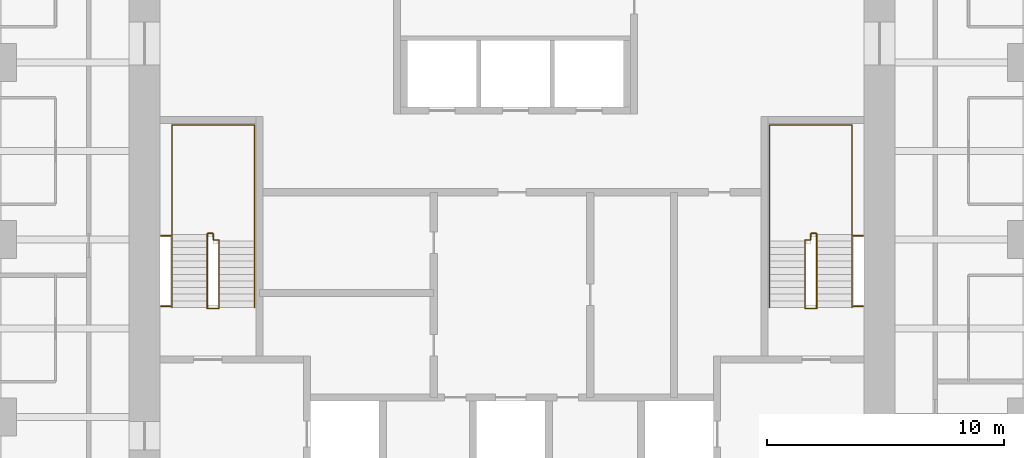
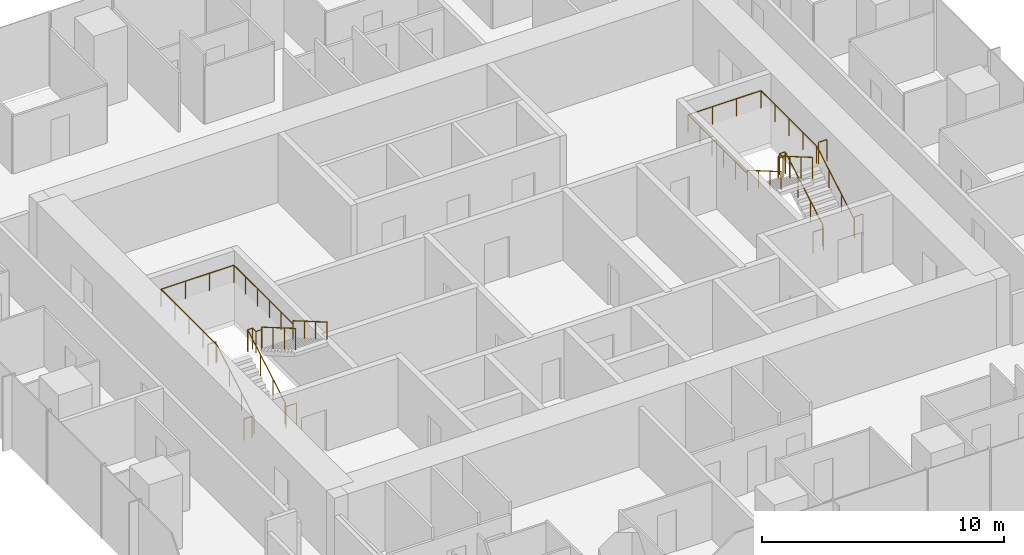
# One storey, part 12 of 12: 8 railings.
"""IFC4 building model written with IfcOpenShell, lengths in metres."""

from ifc_helpers import new_model, si_unit, direction, frame, origin, origin_2d, place, context, subcontext, project, spatial, circle, extrude, material, type_object, element, save


model = new_model("IFC4")

# Units and contexts
model_context = context("Model", 3, precision=1e-05, world=origin(), true_north=direction((0.0, 1.0)))
body_context = subcontext(model_context, "Body", "Model", "MODEL_VIEW")
ifc_project = project(units=[si_unit("LENGTHUNIT", "METRE"), si_unit("AREAUNIT", "SQUARE_METRE"), si_unit("VOLUMEUNIT", "CUBIC_METRE"), si_unit("PLANEANGLEUNIT", "RADIAN"), si_unit("MASSUNIT", "GRAM", prefix="KILO")], contexts=[model_context])

# Site, building, storey
site_placement = place(None, origin())
site = spatial("IfcSite", under=ifc_project, at=site_placement, CompositionType="ELEMENT")
building_placement = place(site_placement, origin())
building = spatial("IfcBuilding", under=site, at=building_placement, Name="Khuree Lantern Residences", CompositionType="ELEMENT")
storey_placement = place(building_placement, frame((0.0, 0.0, 323.25)))
storey = spatial("IfcBuildingStorey", under=building, at=storey_placement, Name="L81", CompositionType="ELEMENT", Elevation=323.25)

# Railings
ifc_material = material(Name="Steel S355", Category="steel")
railing_type_1 = type_object("IfcRailingType", Name="STAIR GUARD G1 1100", PredefinedType="GUARDRAIL", material=ifc_material)
railing_1_placement = place(storey_placement, frame((-12.35009765625, -2.909912109375, 0.0)))
element("IfcRailing", 1, at=railing_1_placement, inside=storey, type_object=railing_type_1, Name="Stair ST1 guard", PredefinedType="GUARDRAIL", context=body_context, shape_type="SweptSolid", body=[
    extrude(circle(Radius=0.02392578125, at=origin_2d()), frame((0.0, 0.0, 1.076171875), z_axis=(-1.0, 0.0, 0.0), x_axis=(0.0, -1.0, 0.0)), (0.0, 0.0, 1.0), 0.5),
    extrude(circle(Radius=0.02392578125, at=origin_2d()), frame((-0.5, 0.0, 1.076171875), z_axis=(0.0, 0.292073035251, 0.95639601739), x_axis=(-1.0, 0.0, 0.0)), (0.0, 0.0, 1.0), 0.17041015625),
    extrude(circle(Radius=0.02392578125, at=origin_2d()), frame((-0.5, 0.0498046875, 1.2392578125), z_axis=(0.0, 0.864176135923, 0.503189433615), x_axis=(-1.0, 0.0, 0.0)), (0.0, 0.0, 1.0), 3.564208984375),
    extrude(circle(Radius=0.02392578125, at=origin_2d()), frame((-0.5, 3.1298828125, 3.03271484375), z_axis=(0.0, 1.0, 0.0), x_axis=(-1.0, 0.0, 0.0)), (0.0, 0.0, 1.0), 0.050048828125),
    extrude(circle(Radius=0.02392578125, at=origin_2d()), frame((-0.5, 3.179931640625, 3.03271484375), z_axis=(1.0, 0.0, 0.0), x_axis=(0.0, 1.0, 0.0)), (0.0, 0.0, 1.0), 0.25),
    extrude(circle(Radius=0.02392578125, at=origin_2d()), frame((-0.25, 3.179931640625, 3.03271484375), z_axis=(0.0, -1.0, 0.0), x_axis=(1.0, 0.0, 0.0)), (0.0, 0.0, 1.0), 0.280029296875),
    extrude(circle(Radius=0.02392578125, at=origin_2d()), frame((-0.25, 2.89990234375, 3.03271484375), z_axis=(1.0, 0.0, 0.0), x_axis=(0.0, 1.0, 0.0)), (0.0, 0.0, 1.0), 0.25),
    extrude(circle(Radius=0.02392578125, at=origin_2d()), frame((0.0, 2.89990234375, 3.03271484375), z_axis=(0.0, -0.293381807449, 0.955995353053), x_axis=(1.0, 0.0, 0.0)), (0.0, 0.0, 1.0), 0.170654296875),
    extrude(circle(Radius=0.02392578125, at=origin_2d()), frame((0.0, 2.849853515625, 3.19580078125), z_axis=(0.0, -0.864180358799, 0.503182181189), x_axis=(1.0, 0.0, 0.0)), (0.0, 0.0, 1.0), 3.240234375),
    extrude(circle(Radius=0.02099609375, at=origin_2d()), origin(), (0.0, 0.0, 1.0), 1.052001953125),
    extrude(circle(Radius=0.02099609375, at=origin_2d()), frame((-0.5, 0.0, 0.0)), (0.0, 0.0, 1.0), 1.052001953125),
    extrude(circle(Radius=0.02099609375, at=origin_2d()), frame((-0.5, 0.0498046875, 0.1630859375)), (0.0, 0.0, 1.0), 1.052001953125),
    extrude(circle(Radius=0.02099609375, at=origin_2d()), frame((-0.5, 1.076416015625, 0.760986328125)), (0.0, 0.0, 1.0), 1.052001953125),
    extrude(circle(Radius=0.02099609375, at=origin_2d()), frame((-0.5, 2.103271484375, 1.358642578125)), (0.0, 0.0, 1.0), 1.052001953125),
    extrude(circle(Radius=0.02099609375, at=origin_2d()), frame((-0.5, 3.1298828125, 1.95654296875)), (0.0, 0.0, 1.0), 1.052001953125),
    extrude(circle(Radius=0.02099609375, at=origin_2d()), frame((-0.5, 3.179931640625, 1.95654296875)), (0.0, 0.0, 1.0), 1.052001953125),
    extrude(circle(Radius=0.02099609375, at=origin_2d()), frame((-0.25, 3.179931640625, 1.95654296875)), (0.0, 0.0, 1.0), 1.052001953125),
    extrude(circle(Radius=0.02099609375, at=origin_2d()), frame((-0.25, 2.89990234375, 1.95654296875)), (0.0, 0.0, 1.0), 1.052001953125),
    extrude(circle(Radius=0.02099609375, at=origin_2d()), frame((0.0, 2.89990234375, 1.95654296875)), (0.0, 0.0, 1.0), 1.052001953125),
    extrude(circle(Radius=0.02099609375, at=origin_2d()), frame((0.0, 2.849853515625, 2.11962890625)), (0.0, 0.0, 1.0), 1.052001953125),
    extrude(circle(Radius=0.02099609375, at=origin_2d()), frame((0.0, 1.91650390625, 2.6630859375)), (0.0, 0.0, 1.0), 1.052001953125),
    extrude(circle(Radius=0.02099609375, at=origin_2d()), frame((0.0, 0.983154296875, 3.20654296875)), (0.0, 0.0, 1.0), 1.052001953125),
    extrude(circle(Radius=0.02099609375, at=origin_2d()), frame((0.0, 0.0498046875, 3.75)), (0.0, 0.0, 1.0), 1.052001953125),
])
for number, where, name in (
    (2, (-14.800048828125, -2.81005859375, 0.0), "Stair ST1 landing slot guard"),
    (3, (-14.800048828125, 0.169921875, 1.95654296875), "Stair ST1 landing slot guard"),
):
    element("IfcRailing", number, at=place(storey_placement, frame(where)), inside=storey, type_object=railing_type_1, Name=name, PredefinedType="GUARDRAIL", context=body_context, shape_type="SweptSolid", body=[
        extrude(circle(Radius=0.02392578125, at=origin_2d()), frame((0.0, 0.0, 1.076171875), z_axis=(1.0, 0.0, 0.0), x_axis=(0.0, 1.0, 0.0)), (0.0, 0.0, 1.0), 0.400146484375),
        extrude(circle(Radius=0.02099609375, at=origin_2d()), origin(), (0.0, 0.0, 1.0), 1.052001953125),
        extrude(circle(Radius=0.02099609375, at=origin_2d()), frame((0.400146484375, 0.0, 0.0)), (0.0, 0.0, 1.0), 1.052001953125),
    ])
railing_2_placement = place(storey_placement, frame((12.35009765625, -2.909912109375, 0.0)))
element("IfcRailing", 4, at=railing_2_placement, inside=storey, type_object=railing_type_1, Name="Stair ST2 guard", PredefinedType="GUARDRAIL", context=body_context, shape_type="SweptSolid", body=[
    extrude(circle(Radius=0.02392578125, at=origin_2d()), frame((0.0, 0.0, 1.076171875), z_axis=(1.0, 0.0, 0.0), x_axis=(0.0, 1.0, 0.0)), (0.0, 0.0, 1.0), 0.5),
    extrude(circle(Radius=0.02392578125, at=origin_2d()), frame((0.5, 0.0, 1.076171875), z_axis=(0.0, 0.292073035251, 0.95639601739), x_axis=(-1.0, 0.0, 0.0)), (0.0, 0.0, 1.0), 0.17041015625),
    extrude(circle(Radius=0.02392578125, at=origin_2d()), frame((0.5, 0.0498046875, 1.2392578125), z_axis=(0.0, 0.864176135923, 0.503189433615), x_axis=(-1.0, 0.0, 0.0)), (0.0, 0.0, 1.0), 3.564208984375),
    extrude(circle(Radius=0.02392578125, at=origin_2d()), frame((0.5, 3.1298828125, 3.03271484375), z_axis=(0.0, 1.0, 0.0), x_axis=(-1.0, 0.0, 0.0)), (0.0, 0.0, 1.0), 0.050048828125),
    extrude(circle(Radius=0.02392578125, at=origin_2d()), frame((0.5, 3.179931640625, 3.03271484375), z_axis=(-1.0, 0.0, 0.0), x_axis=(0.0, -1.0, 0.0)), (0.0, 0.0, 1.0), 0.25),
    extrude(circle(Radius=0.02392578125, at=origin_2d()), frame((0.25, 3.179931640625, 3.03271484375), z_axis=(0.0, -1.0, 0.0), x_axis=(1.0, 0.0, 0.0)), (0.0, 0.0, 1.0), 0.280029296875),
    extrude(circle(Radius=0.02392578125, at=origin_2d()), frame((0.25, 2.89990234375, 3.03271484375), z_axis=(-1.0, 0.0, 0.0), x_axis=(0.0, -1.0, 0.0)), (0.0, 0.0, 1.0), 0.25),
    extrude(circle(Radius=0.02392578125, at=origin_2d()), frame((0.0, 2.89990234375, 3.03271484375), z_axis=(0.0, -0.293381807449, 0.955995353053), x_axis=(1.0, 0.0, 0.0)), (0.0, 0.0, 1.0), 0.170654296875),
    extrude(circle(Radius=0.02392578125, at=origin_2d()), frame((0.0, 2.849853515625, 3.19580078125), z_axis=(0.0, -0.864180358799, 0.503182181189), x_axis=(1.0, 0.0, 0.0)), (0.0, 0.0, 1.0), 3.240234375),
    extrude(circle(Radius=0.02099609375, at=origin_2d()), origin(), (0.0, 0.0, 1.0), 1.052001953125),
    extrude(circle(Radius=0.02099609375, at=origin_2d()), frame((0.5, 0.0, 0.0)), (0.0, 0.0, 1.0), 1.052001953125),
    extrude(circle(Radius=0.02099609375, at=origin_2d()), frame((0.5, 0.0498046875, 0.1630859375)), (0.0, 0.0, 1.0), 1.052001953125),
    extrude(circle(Radius=0.02099609375, at=origin_2d()), frame((0.5, 1.076416015625, 0.760986328125)), (0.0, 0.0, 1.0), 1.052001953125),
    extrude(circle(Radius=0.02099609375, at=origin_2d()), frame((0.5, 2.103271484375, 1.358642578125)), (0.0, 0.0, 1.0), 1.052001953125),
    extrude(circle(Radius=0.02099609375, at=origin_2d()), frame((0.5, 3.1298828125, 1.95654296875)), (0.0, 0.0, 1.0), 1.052001953125),
    extrude(circle(Radius=0.02099609375, at=origin_2d()), frame((0.5, 3.179931640625, 1.95654296875)), (0.0, 0.0, 1.0), 1.052001953125),
    extrude(circle(Radius=0.02099609375, at=origin_2d()), frame((0.25, 3.179931640625, 1.95654296875)), (0.0, 0.0, 1.0), 1.052001953125),
    extrude(circle(Radius=0.02099609375, at=origin_2d()), frame((0.25, 2.89990234375, 1.95654296875)), (0.0, 0.0, 1.0), 1.052001953125),
    extrude(circle(Radius=0.02099609375, at=origin_2d()), frame((0.0, 2.89990234375, 1.95654296875)), (0.0, 0.0, 1.0), 1.052001953125),
    extrude(circle(Radius=0.02099609375, at=origin_2d()), frame((0.0, 2.849853515625, 2.11962890625)), (0.0, 0.0, 1.0), 1.052001953125),
    extrude(circle(Radius=0.02099609375, at=origin_2d()), frame((0.0, 1.91650390625, 2.6630859375)), (0.0, 0.0, 1.0), 1.052001953125),
    extrude(circle(Radius=0.02099609375, at=origin_2d()), frame((0.0, 0.983154296875, 3.20654296875)), (0.0, 0.0, 1.0), 1.052001953125),
    extrude(circle(Radius=0.02099609375, at=origin_2d()), frame((0.0, 0.0498046875, 3.75)), (0.0, 0.0, 1.0), 1.052001953125),
])
for number, where, name in (
    (5, (14.800048828125, -2.81005859375, 0.0), "Stair ST2 landing slot guard"),
    (6, (14.800048828125, 0.169921875, 1.95654296875), "Stair ST2 landing slot guard"),
):
    element("IfcRailing", number, at=place(storey_placement, frame(where)), inside=storey, type_object=railing_type_1, Name=name, PredefinedType="GUARDRAIL", context=body_context, shape_type="SweptSolid", body=[
        extrude(circle(Radius=0.02392578125, at=origin_2d()), frame((0.0, 0.0, 1.076171875), z_axis=(-1.0, 0.0, 0.0), x_axis=(0.0, -1.0, 0.0)), (0.0, 0.0, 1.0), 0.400146484375),
        extrude(circle(Radius=0.02099609375, at=origin_2d()), origin(), (0.0, 0.0, 1.0), 1.052001953125),
        extrude(circle(Radius=0.02099609375, at=origin_2d()), frame((-0.400146484375, 0.0, 0.0)), (0.0, 0.0, 1.0), 1.052001953125),
    ])
railing_type_2 = type_object("IfcRailingType", Name="STAIR HANDRAIL H1 900", PredefinedType="HANDRAIL", material=ifc_material)
railing_3_placement = place(storey_placement, frame((-14.340087890625, -2.860107421875, 0.1630859375)))
element("IfcRailing", 7, at=railing_3_placement, inside=storey, type_object=railing_type_2, Name="Stair ST1 handrail", PredefinedType="HANDRAIL", context=body_context, shape_type="SweptSolid", body=[
    extrude(circle(Radius=0.02392578125, at=origin_2d()), frame((0.0, 0.0, 0.8759765625), z_axis=(0.0, 0.864176135923, 0.503189433615), x_axis=(-1.0, 0.0, 0.0)), (0.0, 0.0, 1.0), 3.564208984375),
    extrude(circle(Radius=0.02392578125, at=origin_2d()), frame((0.0, 3.080078125, 2.66943359375), z_axis=(0.0, 1.0, 0.0), x_axis=(-1.0, 0.0, 0.0)), (0.0, 0.0, 1.0), 4.6201171875),
    extrude(circle(Radius=0.02392578125, at=origin_2d()), frame((0.0, 7.7001953125, 2.66943359375), z_axis=(1.0, 0.0, 0.0), x_axis=(0.0, 1.0, 0.0)), (0.0, 0.0, 1.0), 3.47998046875),
    extrude(circle(Radius=0.02392578125, at=origin_2d()), frame((3.47998046875, 7.7001953125, 2.66943359375), z_axis=(0.0, -1.0, 0.0), x_axis=(1.0, 0.0, 0.0)), (0.0, 0.0, 1.0), 4.900146484375),
    extrude(circle(Radius=0.02392578125, at=origin_2d()), frame((3.47998046875, 2.800048828125, 2.66943359375), z_axis=(0.0, 0.0, 1.0), x_axis=(1.0, 0.0, 0.0)), (0.0, 0.0, 1.0), 0.1630859375),
    extrude(circle(Radius=0.02392578125, at=origin_2d()), frame((3.47998046875, 2.800048828125, 2.83251953125), z_axis=(0.0, -0.864180358799, 0.503182181189), x_axis=(1.0, 0.0, 0.0)), (0.0, 0.0, 1.0), 3.240234375),
    extrude(circle(Radius=0.02099609375, at=origin_2d()), origin(), (0.0, 0.0, 1.0), 0.851806640625),
    extrude(circle(Radius=0.02099609375, at=origin_2d()), frame((0.0, 1.026611328125, 0.597900390625)), (0.0, 0.0, 1.0), 0.851806640625),
    extrude(circle(Radius=0.02099609375, at=origin_2d()), frame((0.0, 2.053466796875, 1.195556640625)), (0.0, 0.0, 1.0), 0.851806640625),
    extrude(circle(Radius=0.02099609375, at=origin_2d()), frame((0.0, 3.080078125, 1.79345703125)), (0.0, 0.0, 1.0), 0.851806640625),
    extrude(circle(Radius=0.02099609375, at=origin_2d()), frame((0.0, 4.235107421875, 1.79345703125)), (0.0, 0.0, 1.0), 0.851806640625),
    extrude(circle(Radius=0.02099609375, at=origin_2d()), frame((0.0, 5.39013671875, 1.79345703125)), (0.0, 0.0, 1.0), 0.851806640625),
    extrude(circle(Radius=0.02099609375, at=origin_2d()), frame((0.0, 6.545166015625, 1.79345703125)), (0.0, 0.0, 1.0), 0.851806640625),
    extrude(circle(Radius=0.02099609375, at=origin_2d()), frame((0.0, 7.7001953125, 1.79345703125)), (0.0, 0.0, 1.0), 0.851806640625),
    extrude(circle(Radius=0.02099609375, at=origin_2d()), frame((1.159912109375, 7.7001953125, 1.79345703125)), (0.0, 0.0, 1.0), 0.851806640625),
    extrude(circle(Radius=0.02099609375, at=origin_2d()), frame((2.320068359375, 7.7001953125, 1.79345703125)), (0.0, 0.0, 1.0), 0.851806640625),
    extrude(circle(Radius=0.02099609375, at=origin_2d()), frame((3.47998046875, 7.7001953125, 1.79345703125)), (0.0, 0.0, 1.0), 0.851806640625),
    extrude(circle(Radius=0.02099609375, at=origin_2d()), frame((3.47998046875, 6.72021484375, 1.79345703125)), (0.0, 0.0, 1.0), 0.851806640625),
    extrude(circle(Radius=0.02099609375, at=origin_2d()), frame((3.47998046875, 5.740234375, 1.79345703125)), (0.0, 0.0, 1.0), 0.851806640625),
    extrude(circle(Radius=0.02099609375, at=origin_2d()), frame((3.47998046875, 4.760009765625, 1.79345703125)), (0.0, 0.0, 1.0), 0.851806640625),
    extrude(circle(Radius=0.02099609375, at=origin_2d()), frame((3.47998046875, 3.780029296875, 1.79345703125)), (0.0, 0.0, 1.0), 0.851806640625),
    extrude(circle(Radius=0.02099609375, at=origin_2d()), frame((3.47998046875, 2.800048828125, 1.79345703125)), (0.0, 0.0, 1.0), 0.851806640625),
    extrude(circle(Radius=0.02099609375, at=origin_2d()), frame((3.47998046875, 2.800048828125, 1.95654296875)), (0.0, 0.0, 1.0), 0.851806640625),
    extrude(circle(Radius=0.02099609375, at=origin_2d()), frame((3.47998046875, 1.86669921875, 2.5)), (0.0, 0.0, 1.0), 0.851806640625),
    extrude(circle(Radius=0.02099609375, at=origin_2d()), frame((3.47998046875, 0.933349609375, 3.04345703125)), (0.0, 0.0, 1.0), 0.851806640625),
    extrude(circle(Radius=0.02099609375, at=origin_2d()), frame((3.47998046875, 0.0, 3.5869140625)), (0.0, 0.0, 1.0), 0.851806640625),
])
railing_4_placement = place(storey_placement, frame((14.340087890625, -2.860107421875, 0.1630859375)))
element("IfcRailing", 8, at=railing_4_placement, inside=storey, type_object=railing_type_2, Name="Stair ST2 handrail", PredefinedType="HANDRAIL", context=body_context, shape_type="SweptSolid", body=[
    extrude(circle(Radius=0.02392578125, at=origin_2d()), frame((0.0, 0.0, 0.8759765625), z_axis=(0.0, 0.864176135923, 0.503189433615), x_axis=(-1.0, 0.0, 0.0)), (0.0, 0.0, 1.0), 3.564208984375),
    extrude(circle(Radius=0.02392578125, at=origin_2d()), frame((0.0, 3.080078125, 2.66943359375), z_axis=(0.0, 1.0, 0.0), x_axis=(-1.0, 0.0, 0.0)), (0.0, 0.0, 1.0), 4.6201171875),
    extrude(circle(Radius=0.02392578125, at=origin_2d()), frame((0.0, 7.7001953125, 2.66943359375), z_axis=(-1.0, 0.0, 0.0), x_axis=(0.0, -1.0, 0.0)), (0.0, 0.0, 1.0), 3.47998046875),
    extrude(circle(Radius=0.02392578125, at=origin_2d()), frame((-3.47998046875, 7.7001953125, 2.66943359375), z_axis=(0.0, -1.0, 0.0), x_axis=(1.0, 0.0, 0.0)), (0.0, 0.0, 1.0), 4.900146484375),
    extrude(circle(Radius=0.02392578125, at=origin_2d()), frame((-3.47998046875, 2.800048828125, 2.66943359375), z_axis=(0.0, 0.0, 1.0), x_axis=(1.0, 0.0, 0.0)), (0.0, 0.0, 1.0), 0.1630859375),
    extrude(circle(Radius=0.02392578125, at=origin_2d()), frame((-3.47998046875, 2.800048828125, 2.83251953125), z_axis=(0.0, -0.864180358799, 0.503182181189), x_axis=(1.0, 0.0, 0.0)), (0.0, 0.0, 1.0), 3.240234375),
    extrude(circle(Radius=0.02099609375, at=origin_2d()), origin(), (0.0, 0.0, 1.0), 0.851806640625),
    extrude(circle(Radius=0.02099609375, at=origin_2d()), frame((0.0, 1.026611328125, 0.597900390625)), (0.0, 0.0, 1.0), 0.851806640625),
    extrude(circle(Radius=0.02099609375, at=origin_2d()), frame((0.0, 2.053466796875, 1.195556640625)), (0.0, 0.0, 1.0), 0.851806640625),
    extrude(circle(Radius=0.02099609375, at=origin_2d()), frame((0.0, 3.080078125, 1.79345703125)), (0.0, 0.0, 1.0), 0.851806640625),
    extrude(circle(Radius=0.02099609375, at=origin_2d()), frame((0.0, 4.235107421875, 1.79345703125)), (0.0, 0.0, 1.0), 0.851806640625),
    extrude(circle(Radius=0.02099609375, at=origin_2d()), frame((0.0, 5.39013671875, 1.79345703125)), (0.0, 0.0, 1.0), 0.851806640625),
    extrude(circle(Radius=0.02099609375, at=origin_2d()), frame((0.0, 6.545166015625, 1.79345703125)), (0.0, 0.0, 1.0), 0.851806640625),
    extrude(circle(Radius=0.02099609375, at=origin_2d()), frame((0.0, 7.7001953125, 1.79345703125)), (0.0, 0.0, 1.0), 0.851806640625),
    extrude(circle(Radius=0.02099609375, at=origin_2d()), frame((-1.159912109375, 7.7001953125, 1.79345703125)), (0.0, 0.0, 1.0), 0.851806640625),
    extrude(circle(Radius=0.02099609375, at=origin_2d()), frame((-2.320068359375, 7.7001953125, 1.79345703125)), (0.0, 0.0, 1.0), 0.851806640625),
    extrude(circle(Radius=0.02099609375, at=origin_2d()), frame((-3.47998046875, 7.7001953125, 1.79345703125)), (0.0, 0.0, 1.0), 0.851806640625),
    extrude(circle(Radius=0.02099609375, at=origin_2d()), frame((-3.47998046875, 6.72021484375, 1.79345703125)), (0.0, 0.0, 1.0), 0.851806640625),
    extrude(circle(Radius=0.02099609375, at=origin_2d()), frame((-3.47998046875, 5.740234375, 1.79345703125)), (0.0, 0.0, 1.0), 0.851806640625),
    extrude(circle(Radius=0.02099609375, at=origin_2d()), frame((-3.47998046875, 4.760009765625, 1.79345703125)), (0.0, 0.0, 1.0), 0.851806640625),
    extrude(circle(Radius=0.02099609375, at=origin_2d()), frame((-3.47998046875, 3.780029296875, 1.79345703125)), (0.0, 0.0, 1.0), 0.851806640625),
    extrude(circle(Radius=0.02099609375, at=origin_2d()), frame((-3.47998046875, 2.800048828125, 1.79345703125)), (0.0, 0.0, 1.0), 0.851806640625),
    extrude(circle(Radius=0.02099609375, at=origin_2d()), frame((-3.47998046875, 2.800048828125, 1.95654296875)), (0.0, 0.0, 1.0), 0.851806640625),
    extrude(circle(Radius=0.02099609375, at=origin_2d()), frame((-3.47998046875, 1.86669921875, 2.5)), (0.0, 0.0, 1.0), 0.851806640625),
    extrude(circle(Radius=0.02099609375, at=origin_2d()), frame((-3.47998046875, 0.933349609375, 3.04345703125)), (0.0, 0.0, 1.0), 0.851806640625),
    extrude(circle(Radius=0.02099609375, at=origin_2d()), frame((-3.47998046875, 0.0, 3.5869140625)), (0.0, 0.0, 1.0), 0.851806640625),
])

save(model, "model.ifc")
